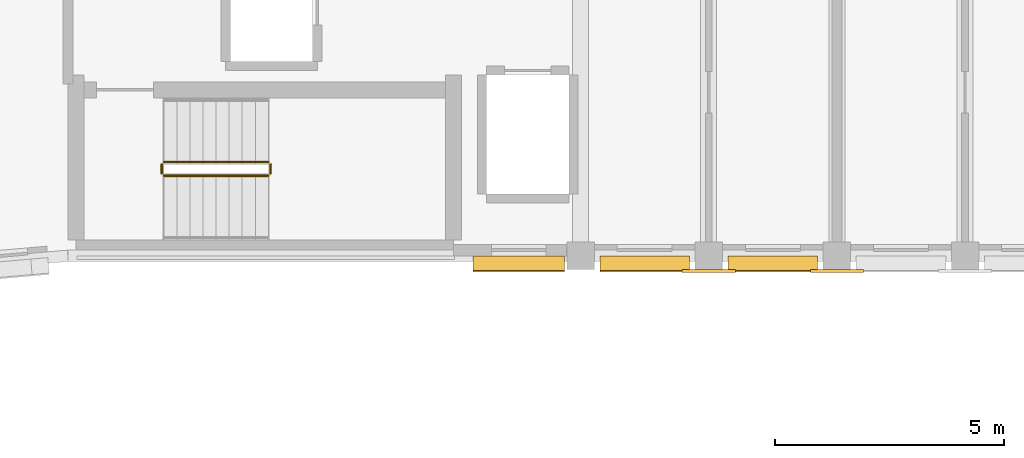
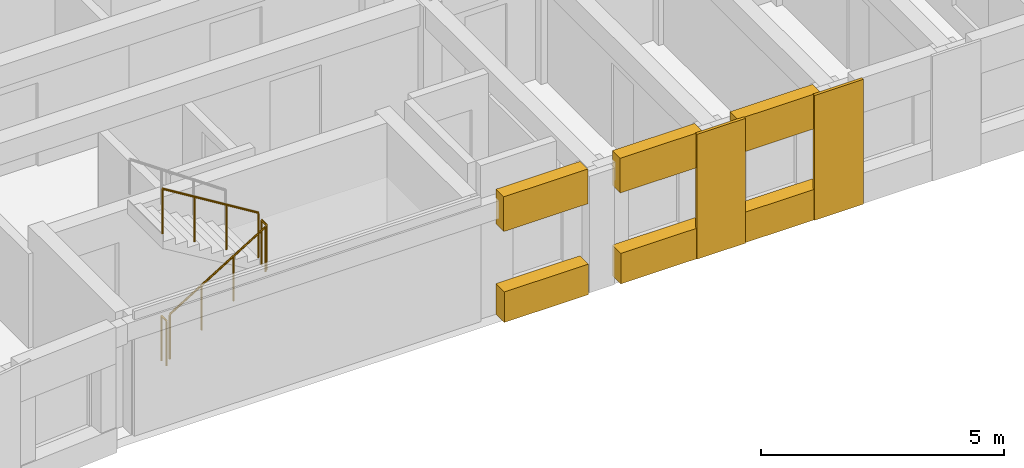
# One storey, part 43 of 53: 8 coverings, 4 railings.
"""IFC4 building model written with IfcOpenShell, lengths in metres."""

from ifc_helpers import new_model, si_unit, direction, frame, origin, origin_2d, place, context, subcontext, project, spatial, polyline, circle, outline, extrude, material, layer, layer_set, type_object, element, save


model = new_model("IFC4")

# Units and contexts
model_context = context("Model", 3, precision=1e-05, world=origin(), true_north=direction((0.0, 1.0)))
body_context = subcontext(model_context, "Body", "Model", "MODEL_VIEW")
ifc_project = project(units=[si_unit("LENGTHUNIT", "METRE"), si_unit("AREAUNIT", "SQUARE_METRE"), si_unit("VOLUMEUNIT", "CUBIC_METRE"), si_unit("PLANEANGLEUNIT", "RADIAN"), si_unit("MASSUNIT", "GRAM", prefix="KILO")], contexts=[model_context])

# Site, building, storey
site_placement = place(None, origin())
site = spatial("IfcSite", under=ifc_project, at=site_placement, CompositionType="ELEMENT")
building_placement = place(site_placement, origin())
building = spatial("IfcBuilding", under=site, at=building_placement, Name="Kiranvali Square Residences", CompositionType="ELEMENT")
storey_placement = place(building_placement, frame((0.0, 0.0, 30.75)))
storey = spatial("IfcBuildingStorey", under=building, at=storey_placement, Name="L09", CompositionType="ELEMENT", Elevation=30.75)

# Coverings
ifc_material_1 = material(Name="Honed Porbandar limestone ashlar facade cladding", Category="masonry")
ifc_layer_1 = layer(ifc_material_1, 0.050048828125)
ifc_layer_set_1 = layer_set([ifc_layer_1], Name="Honed Porbandar limestone ashlar facade cladding")
covering_type_1 = type_object("IfcCoveringType", Name="COV-CLAD-PIER-IN", PredefinedType="CLADDING", material=ifc_layer_set_1)
covering_1_placement = place(storey_placement, frame((0.0, 0.0, 0.0048828125)))
element("IfcCovering", 1, at=covering_1_placement, inside=storey, type_object=covering_type_1, Name="L09 Classical limestone pilaster casing CLAD-PRA1I-A-L09-U140", PredefinedType="CLADDING", context=body_context, shape_type="SweptSolid", body=[
    extrude(outline(polyline([(61.6201171875, 106.23193359375), (62.780029296875, 106.23193359375), (62.780029296875, 106.299560546875), (61.6201171875, 106.299560546875), (61.6201171875, 106.23193359375)])), origin(), (0.0, 0.0, 1.0), 3.14013671875),
])
covering_2_placement = place(storey_placement, frame((0.0, 0.0, 0.0048828125)))
element("IfcCovering", 2, at=covering_2_placement, inside=storey, type_object=covering_type_1, Name="L09 Classical limestone pilaster casing CLAD-PRA1I-A-L09-U167", PredefinedType="CLADDING", context=body_context, shape_type="SweptSolid", body=[
    extrude(outline(polyline([(64.419921875, 106.23193359375), (65.580078125, 106.23193359375), (65.580078125, 106.299560546875), (64.419921875, 106.299560546875), (64.419921875, 106.23193359375)])), origin(), (0.0, 0.0, 1.0), 3.14013671875),
])
ifc_layer_2 = layer(ifc_material_1, 0.360107421875)
ifc_layer_set_2 = layer_set([ifc_layer_2], Name="Honed Porbandar limestone ashlar facade cladding")
covering_type_2 = type_object("IfcCoveringType", Name="COV-CLAD-WALL", PredefinedType="CLADDING", material=ifc_layer_set_2)
covering_3_placement = place(storey_placement, frame((0.0, 0.0, 2.27197265625)))
element("IfcCovering", 3, at=covering_3_placement, inside=storey, type_object=covering_type_2, Name="L09 light limestone spandrel lintel A-L09-A1IN-0", PredefinedType="CLADDING", context=body_context, shape_type="SweptSolid", body=[
    extrude(outline(polyline([(57.050048828125, 106.280029296875), (59.050048828125, 106.280029296875), (59.050048828125, 106.599609375), (57.050048828125, 106.599609375), (57.050048828125, 106.280029296875)])), origin(), (0.0, 0.0, 1.0), 0.873046875),
])
covering_4_placement = place(storey_placement, frame((0.0, 0.0, 0.0048828125)))
element("IfcCovering", 4, at=covering_4_placement, inside=storey, type_object=covering_type_2, Name="L09 limestone window sill apron A-L09-A1IN-0", PredefinedType="CLADDING", context=body_context, shape_type="SweptSolid", body=[
    extrude(outline(polyline([(57.050048828125, 106.25), (59.050048828125, 106.25), (59.050048828125, 106.599609375), (57.050048828125, 106.599609375), (57.050048828125, 106.25)])), origin(), (0.0, 0.0, 1.0), 0.76708984375),
])
covering_5_placement = place(storey_placement, frame((0.0, 0.0, 2.27197265625)))
element("IfcCovering", 5, at=covering_5_placement, inside=storey, type_object=covering_type_2, Name="L09 light limestone spandrel lintel A-L09-A1I-0", PredefinedType="CLADDING", context=body_context, shape_type="SweptSolid", body=[
    extrude(outline(polyline([(59.820068359375, 106.280029296875), (61.780029296875, 106.280029296875), (61.780029296875, 106.599609375), (59.820068359375, 106.599609375), (59.820068359375, 106.280029296875)])), origin(), (0.0, 0.0, 1.0), 0.873046875),
])
covering_6_placement = place(storey_placement, frame((0.0, 0.0, 0.0048828125)))
element("IfcCovering", 6, at=covering_6_placement, inside=storey, type_object=covering_type_2, Name="L09 limestone window sill apron A-L09-A1I-0", PredefinedType="CLADDING", context=body_context, shape_type="SweptSolid", body=[
    extrude(outline(polyline([(59.820068359375, 106.25), (61.780029296875, 106.25), (61.780029296875, 106.599609375), (59.820068359375, 106.599609375), (59.820068359375, 106.25)])), origin(), (0.0, 0.0, 1.0), 0.76708984375),
])
covering_7_placement = place(storey_placement, frame((0.0, 0.0, 2.27197265625)))
element("IfcCovering", 7, at=covering_7_placement, inside=storey, type_object=covering_type_2, Name="L09 light limestone spandrel lintel A-L09-A1I-1", PredefinedType="CLADDING", context=body_context, shape_type="SweptSolid", body=[
    extrude(outline(polyline([(62.6201171875, 106.280029296875), (64.580078125, 106.280029296875), (64.580078125, 106.599609375), (62.6201171875, 106.599609375), (62.6201171875, 106.280029296875)])), origin(), (0.0, 0.0, 1.0), 0.873046875),
])
covering_8_placement = place(storey_placement, frame((0.0, 0.0, 0.0048828125)))
element("IfcCovering", 8, at=covering_8_placement, inside=storey, type_object=covering_type_2, Name="L09 limestone window sill apron A-L09-A1I-1", PredefinedType="CLADDING", context=body_context, shape_type="SweptSolid", body=[
    extrude(outline(polyline([(62.6201171875, 106.25), (64.580078125, 106.25), (64.580078125, 106.599609375), (62.6201171875, 106.599609375), (62.6201171875, 106.25)])), origin(), (0.0, 0.0, 1.0), 0.76708984375),
])

# Railings
ifc_material_2 = material(Name="Powder-coated architectural bronze balustrade", Category="steel")
railing_type = type_object("IfcRailingType", Name="RL-ST-GUARD-1200", PredefinedType="GUARDRAIL", material=ifc_material_2)
railing_1_placement = place(storey_placement, frame((50.300048828125, 108.35009765625, 0.175048828125)))
element("IfcRailing", 9, at=railing_1_placement, inside=storey, type_object=railing_type, Name="L09 ST-A2 stair guard 1", PredefinedType="GUARDRAIL", context=body_context, shape_type="SweptSolid", body=[
    extrude(circle(Radius=0.02392578125, at=origin_2d()), frame((0.0, 0.0, 1.1259765625), z_axis=(0.852190499154, 0.0, 0.523231643875), x_axis=(0.0, 1.0, 0.0)), (0.0, 0.0, 1.0), 2.675537109375),
    extrude(circle(Radius=0.02099609375, at=origin_2d()), origin(), (0.0, 0.0, 1.0), 1.101806640625),
    extrude(circle(Radius=0.02099609375, at=origin_2d()), frame((0.760009765625, 0.0, 0.466552734375)), (0.0, 0.0, 1.0), 1.101806640625),
    extrude(circle(Radius=0.02099609375, at=origin_2d()), frame((1.52001953125, 0.0, 0.933349609375)), (0.0, 0.0, 1.0), 1.101806640625),
    extrude(circle(Radius=0.02099609375, at=origin_2d()), frame((2.280029296875, 0.0, 1.39990234375)), (0.0, 0.0, 1.0), 1.101806640625),
])
railing_2_placement = place(storey_placement, frame((52.6298828125, 108.39990234375, 1.574951171875)))
element("IfcRailing", 10, at=railing_2_placement, inside=storey, type_object=railing_type, Name="L09 ST-A2 stair guard 2", PredefinedType="GUARDRAIL", context=body_context, shape_type="SweptSolid", body=[
    extrude(circle(Radius=0.02392578125, at=origin_2d()), frame((0.0, 0.0, 1.1259765625), z_axis=(0.0, 1.0, 0.0), x_axis=(-1.0, 0.0, 0.0)), (0.0, 0.0, 1.0), 0.2001953125),
    extrude(circle(Radius=0.02099609375, at=origin_2d()), origin(), (0.0, 0.0, 1.0), 1.101806640625),
    extrude(circle(Radius=0.02099609375, at=origin_2d()), frame((0.0, 0.2001953125, 0.0)), (0.0, 0.0, 1.0), 1.101806640625),
])
railing_3_placement = place(storey_placement, frame((52.580078125, 108.64990234375, 1.75)))
element("IfcRailing", 11, at=railing_3_placement, inside=storey, type_object=railing_type, Name="L09 ST-A2 stair guard 3", PredefinedType="GUARDRAIL", context=body_context, shape_type="SweptSolid", body=[
    extrude(circle(Radius=0.02392578125, at=origin_2d()), frame((0.0, 0.0, 1.1259765625), z_axis=(-0.852190499154, 0.0, 0.523231643875), x_axis=(0.0, -1.0, 0.0)), (0.0, 0.0, 1.0), 2.675537109375),
    extrude(circle(Radius=0.02099609375, at=origin_2d()), origin(), (0.0, 0.0, 1.0), 1.101806640625),
    extrude(circle(Radius=0.02099609375, at=origin_2d()), frame((-0.760009765625, 0.0, 0.466552734375)), (0.0, 0.0, 1.0), 1.101806640625),
    extrude(circle(Radius=0.02099609375, at=origin_2d()), frame((-1.52001953125, 0.0, 0.933349609375)), (0.0, 0.0, 1.0), 1.101806640625),
    extrude(circle(Radius=0.02099609375, at=origin_2d()), frame((-2.280029296875, 0.0, 1.39990234375)), (0.0, 0.0, 1.0), 1.101806640625),
])
railing_4_placement = place(storey_placement, frame((50.25, 108.39990234375, 0.0)))
element("IfcRailing", 12, at=railing_4_placement, inside=storey, type_object=railing_type, Name="L09 ST-A2 stair guard 4", PredefinedType="GUARDRAIL", context=body_context, shape_type="SweptSolid", body=[
    extrude(circle(Radius=0.02392578125, at=origin_2d()), frame((0.0, 0.0, 1.1259765625), z_axis=(0.0, 1.0, 0.0), x_axis=(-1.0, 0.0, 0.0)), (0.0, 0.0, 1.0), 0.2001953125),
    extrude(circle(Radius=0.02099609375, at=origin_2d()), origin(), (0.0, 0.0, 1.0), 1.101806640625),
    extrude(circle(Radius=0.02099609375, at=origin_2d()), frame((0.0, 0.2001953125, 0.0)), (0.0, 0.0, 1.0), 1.101806640625),
])

save(model, "model.ifc")
